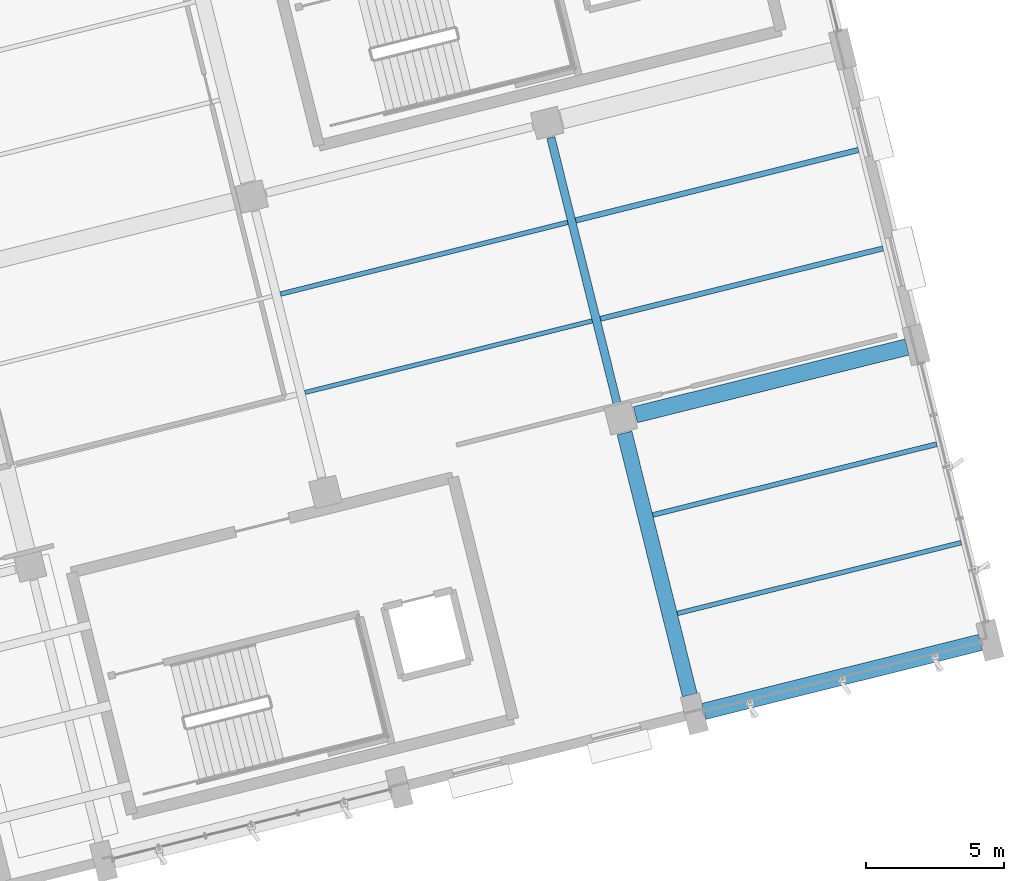
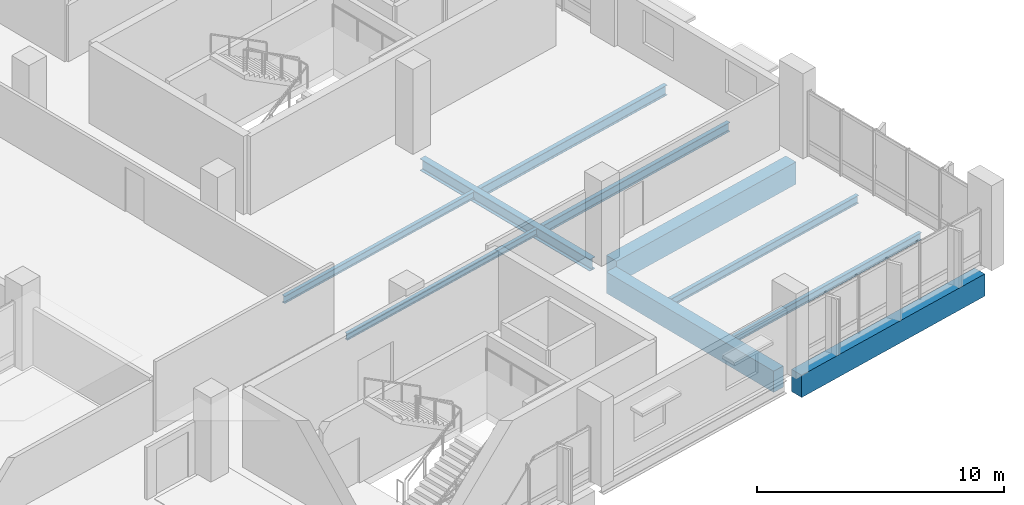
# One storey, part 35 of 75: 10 beams.
"""IFC4 building model written with IfcOpenShell, lengths in metres."""

from ifc_helpers import new_model, si_unit, direction, frame, origin, origin_2d, place, context, subcontext, project, spatial, rectangle, i_section, extrude, material, material_profile, profile_set, type_object, element, save


model = new_model("IFC4")

# Units and contexts
model_context = context("Model", 3, precision=1e-05, world=origin(), true_north=direction((0.0, 1.0)))
body_context = subcontext(model_context, "Body", "Model", "MODEL_VIEW")
ifc_project = project(units=[si_unit("LENGTHUNIT", "METRE"), si_unit("AREAUNIT", "SQUARE_METRE"), si_unit("VOLUMEUNIT", "CUBIC_METRE"), si_unit("PLANEANGLEUNIT", "RADIAN"), si_unit("MASSUNIT", "GRAM", prefix="KILO")], contexts=[model_context])

# Site, building, storey
site_placement = place(None, origin())
site = spatial("IfcSite", under=ifc_project, at=site_placement, CompositionType="ELEMENT")
building_placement = place(site_placement, origin())
building = spatial("IfcBuilding", under=site, at=building_placement, Name="Khorjan Park Terminus", CompositionType="ELEMENT")
storey_placement = place(building_placement, frame((0.0, 0.0, 16.2)))
storey = spatial("IfcBuildingStorey", under=building, at=storey_placement, Name="L03", CompositionType="ELEMENT", Elevation=16.2)

# Beams
ifc_material_1 = material(Name="Steel S355", Category="steel")
ifc_material_profile_1 = material_profile(ifc_material_1, i_section(OverallWidth=0.3, OverallDepth=0.59, WebThickness=0.013, FlangeThickness=0.025, FilletRadius=0.027, at=origin_2d()), Name="HEA 600")
ifc_profile_set_1 = profile_set([ifc_material_profile_1], Name="Steel S355")
beam_type_1 = type_object("IfcBeamType", Name="BM-HEA600", PredefinedType="BEAM", material=ifc_profile_set_1)
beam_1_placement = place(storey_placement, frame((216.5733, 26.5078, -0.645), z_axis=(-0.24192775306, 0.970294265828, 0.0), x_axis=(-0.970294265828, -0.24192775306, 0.0)))
element("IfcBeam", 1, at=beam_1_placement, inside=storey, type_object=beam_type_1, Name="Primary skew-grid floor girder SB-A60 (L03)", PredefinedType="BEAM", context=body_context, shape_type="SweptSolid", body=[
    extrude(i_section(OverallWidth=0.3, OverallDepth=0.59, WebThickness=0.013, FlangeThickness=0.025, FilletRadius=0.027, at=origin_2d()), origin(), (0.0, 0.0, 1.0), 9.91),
])
ifc_material_2 = material(Name="Concrete C40/50", Category="concrete")
ifc_material_profile_2 = material_profile(ifc_material_2, rectangle(XDim=0.55, YDim=1.05, at=origin_2d()), Name="RC 550x1050")
ifc_profile_set_2 = profile_set([ifc_material_profile_2], Name="Concrete C40/50")
beam_type_2 = type_object("IfcBeamType", Name="BM-RC550x1050", PredefinedType="BEAM", material=ifc_profile_set_2)
beam_2_placement = place(storey_placement, frame((219.1981, 15.9801, -0.875), z_axis=(-0.241918404883, 0.970296596603, 0.0), x_axis=(-0.970296596603, -0.241918404883, 0.0)))
element("IfcBeam", 2, at=beam_2_placement, inside=storey, type_object=beam_type_2, Name="Primary skew-grid floor girder GB-105 (L03)", PredefinedType="BEAM", context=body_context, shape_type="SweptSolid", body=[
    extrude(rectangle(XDim=0.55, YDim=1.05, at=origin_2d()), origin(), (0.0, 0.0, 1.0), 9.7599),
])
ifc_material_profile_3 = material_profile(ifc_material_2, rectangle(XDim=0.6, YDim=1.1, at=origin_2d()), Name="RC 600x1100")
ifc_profile_set_3 = profile_set([ifc_material_profile_3], Name="Concrete C40/50")
beam_type_3 = type_object("IfcBeamType", Name="BM-RC600x1100", PredefinedType="BEAM", material=ifc_profile_set_3)
beam_3_placement = place(storey_placement, frame((219.701, 15.3892, -0.9), z_axis=(0.970296351811, 0.241919386702, 0.0), x_axis=(-0.241919386702, 0.970296351811, 0.0)))
element("IfcBeam", 3, at=beam_3_placement, inside=storey, type_object=beam_type_3, Name="Primary skew-grid floor girder GB-11 (L03)", PredefinedType="BEAM", context=body_context, shape_type="SweptSolid", body=[
    extrude(rectangle(XDim=0.6, YDim=1.1, at=origin_2d()), origin(), (0.0, 0.0, 1.0), 10.31),
])
beam_4_placement = place(storey_placement, frame((217.2339, 26.1108, -0.9), z_axis=(0.970296490369, 0.241918830968, 0.0), x_axis=(-0.241918830968, 0.970296490369, 0.0)))
element("IfcBeam", 4, at=beam_4_placement, inside=storey, type_object=beam_type_3, Name="Primary skew-grid floor girder GB-11 (L03)", PredefinedType="BEAM", context=body_context, shape_type="SweptSolid", body=[
    extrude(rectangle(XDim=0.6, YDim=1.1, at=origin_2d()), origin(), (0.0, 0.0, 1.0), 10.11),
])
ifc_material_profile_4 = material_profile(ifc_material_1, i_section(OverallWidth=0.16, OverallDepth=0.33, WebThickness=0.0075, FlangeThickness=0.0115, FilletRadius=0.018, at=origin_2d()), Name="IPE 330")
ifc_profile_set_4 = profile_set([ifc_material_profile_4], Name="Steel S355")
beam_type_4 = type_object("IfcBeamType", Name="JS-IPE330", PredefinedType="JOIST", material=ifc_profile_set_4)
beam_5_placement = place(storey_placement, frame((205.2904, 26.9119, -0.515), z_axis=(0.970294591155, 0.241926448278, 0.0), x_axis=(-0.241926448278, 0.970294591155, 0.0)))
element("IfcBeam", 5, at=beam_5_placement, inside=storey, type_object=beam_type_4, Name="Secondary composite floor joist SJ-33 (L03)", PredefinedType="JOIST", context=body_context, shape_type="SweptSolid", body=[
    extrude(i_section(OverallWidth=0.16, OverallDepth=0.33, WebThickness=0.0075, FlangeThickness=0.0115, FilletRadius=0.018, at=origin_2d()), origin(), (0.0, 0.0, 1.0), 10.6999),
])
ifc_material_profile_5 = material_profile(ifc_material_1, i_section(OverallWidth=0.17, OverallDepth=0.36, WebThickness=0.008, FlangeThickness=0.0127, FilletRadius=0.018, at=origin_2d()), Name="IPE 360")
ifc_profile_set_5 = profile_set([ifc_material_profile_5], Name="Steel S355")
beam_type_5 = type_object("IfcBeamType", Name="JS-IPE360", PredefinedType="JOIST", material=ifc_profile_set_5)
beam_6_placement = place(storey_placement, frame((204.4033, 30.4696, -0.53), z_axis=(0.970297331913, 0.241915455651, 0.0), x_axis=(-0.241915455651, 0.970297331913, 0.0)))
element("IfcBeam", 6, at=beam_6_placement, inside=storey, type_object=beam_type_5, Name="Secondary composite floor joist SJ-36 (L03)", PredefinedType="JOIST", context=body_context, shape_type="SweptSolid", body=[
    extrude(i_section(OverallWidth=0.17, OverallDepth=0.36, WebThickness=0.008, FlangeThickness=0.0127, FilletRadius=0.018, at=origin_2d()), origin(), (0.0, 0.0, 1.0), 10.7),
])
beam_7_placement = place(storey_placement, frame((218.746, 18.93, -0.53), z_axis=(0.970296385626, 0.241919251074, 0.0), x_axis=(-0.241919251074, 0.970296385626, 0.0)))
element("IfcBeam", 7, at=beam_7_placement, inside=storey, type_object=beam_type_5, Name="Secondary composite floor joist SJ-36 (L03)", PredefinedType="JOIST", context=body_context, shape_type="SweptSolid", body=[
    extrude(i_section(OverallWidth=0.17, OverallDepth=0.36, WebThickness=0.008, FlangeThickness=0.0127, FilletRadius=0.018, at=origin_2d()), origin(), (0.0, 0.0, 1.0), 10.575),
])
ifc_material_profile_6 = material_profile(ifc_material_1, i_section(OverallWidth=0.18, OverallDepth=0.4, WebThickness=0.0086, FlangeThickness=0.0135, FilletRadius=0.021, at=origin_2d()), Name="IPE 400")
ifc_profile_set_6 = profile_set([ifc_material_profile_6], Name="Steel S355")
beam_type_6 = type_object("IfcBeamType", Name="JS-IPE400", PredefinedType="JOIST", material=ifc_profile_set_6)
beam_8_placement = place(storey_placement, frame((217.859, 22.4877, -0.55), z_axis=(0.970296385626, 0.241919251074, 0.0), x_axis=(-0.241919251074, 0.970296385626, 0.0)))
element("IfcBeam", 8, at=beam_8_placement, inside=storey, type_object=beam_type_6, Name="Secondary composite floor joist SJ-40 (L03)", PredefinedType="JOIST", context=body_context, shape_type="SweptSolid", body=[
    extrude(i_section(OverallWidth=0.18, OverallDepth=0.4, WebThickness=0.0086, FlangeThickness=0.0135, FilletRadius=0.021, at=origin_2d()), origin(), (0.0, 0.0, 1.0), 10.575),
])
ifc_material_profile_7 = material_profile(ifc_material_1, i_section(OverallWidth=0.19, OverallDepth=0.45, WebThickness=0.0094, FlangeThickness=0.0146, FilletRadius=0.021, at=origin_2d()), Name="IPE 450")
ifc_profile_set_7 = profile_set([ifc_material_profile_7], Name="Steel S355")
beam_type_7 = type_object("IfcBeamType", Name="JS-IPE450", PredefinedType="JOIST", material=ifc_profile_set_7)
beam_9_placement = place(storey_placement, frame((215.9636, 29.573, -0.575), z_axis=(0.970294327804, 0.241927504493, 0.0), x_axis=(-0.241927504493, 0.970294327804, 0.0)))
element("IfcBeam", 9, at=beam_9_placement, inside=storey, type_object=beam_type_7, Name="Secondary composite floor joist SJ-45 (L03)", PredefinedType="JOIST", context=body_context, shape_type="SweptSolid", body=[
    extrude(i_section(OverallWidth=0.19, OverallDepth=0.45, WebThickness=0.0094, FlangeThickness=0.0146, FilletRadius=0.021, at=origin_2d()), origin(), (0.0, 0.0, 1.0), 10.5251),
])
ifc_material_profile_8 = material_profile(ifc_material_1, i_section(OverallWidth=0.2, OverallDepth=0.5, WebThickness=0.0102, FlangeThickness=0.016, FilletRadius=0.021, at=origin_2d()), Name="IPE 500")
ifc_profile_set_8 = profile_set([ifc_material_profile_8], Name="Steel S355")
beam_type_8 = type_object("IfcBeamType", Name="JS-IPE500", PredefinedType="JOIST", material=ifc_profile_set_8)
beam_10_placement = place(storey_placement, frame((215.0766, 33.1307, -0.6), z_axis=(0.970296002015, 0.241920789668, 0.0), x_axis=(-0.241920789668, 0.970296002015, 0.0)))
element("IfcBeam", 10, at=beam_10_placement, inside=storey, type_object=beam_type_8, Name="Secondary composite floor joist SJ-50 (L03)", PredefinedType="JOIST", context=body_context, shape_type="SweptSolid", body=[
    extrude(i_section(OverallWidth=0.2, OverallDepth=0.5, WebThickness=0.0102, FlangeThickness=0.016, FilletRadius=0.021, at=origin_2d()), origin(), (0.0, 0.0, 1.0), 10.5249),
])

save(model, "model.ifc")
